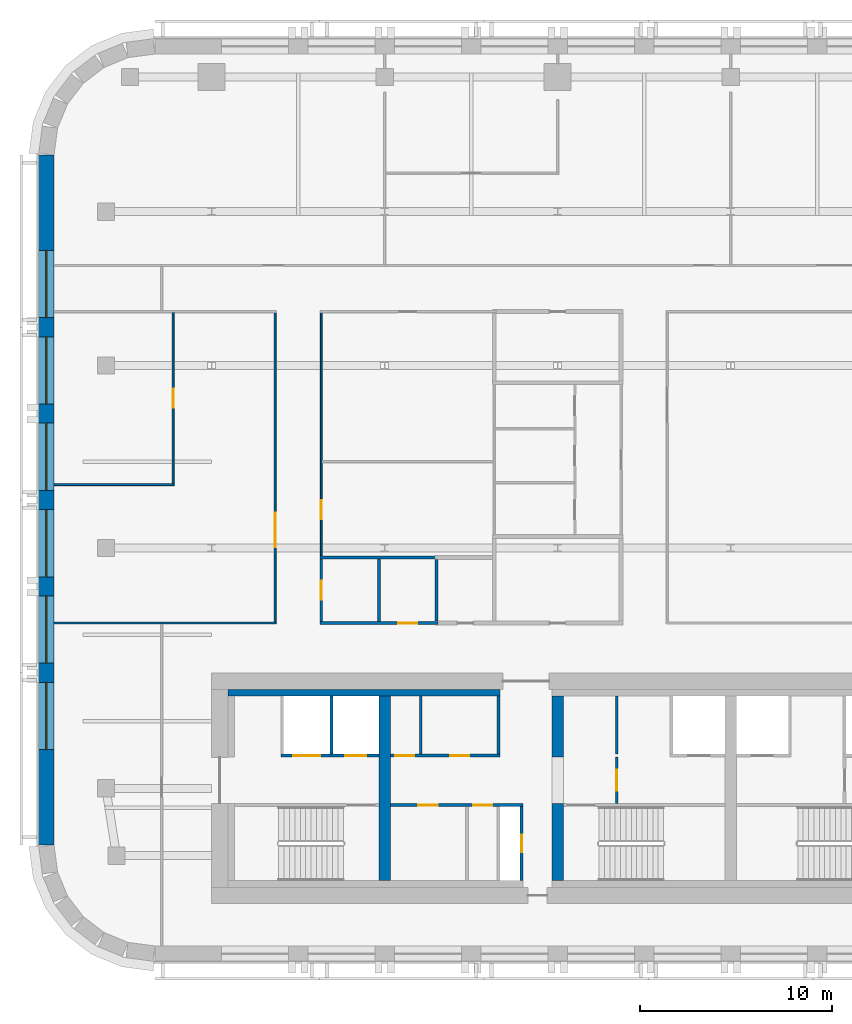
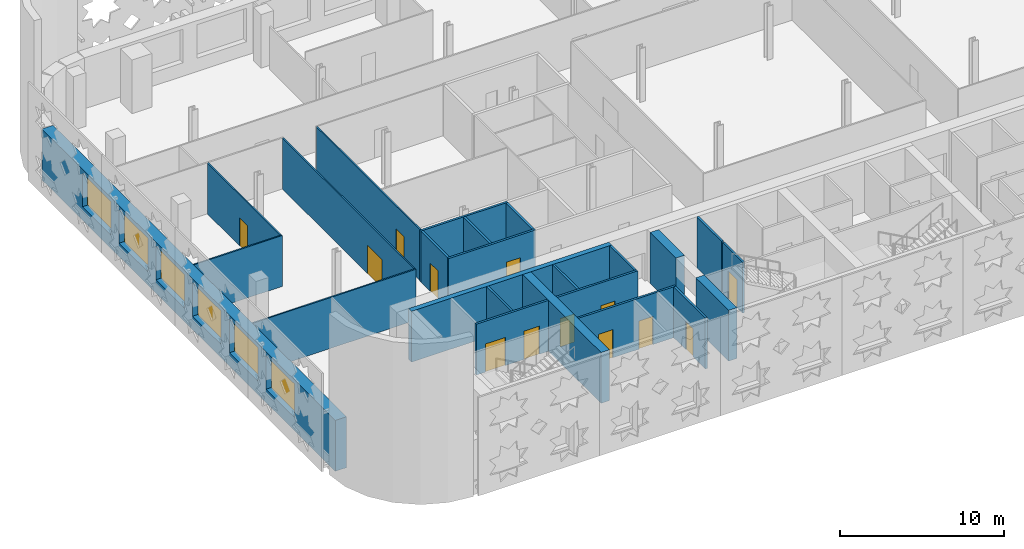
# One storey, part 3 of 14: 24 walls, 13 doors, 6 windows, 19 openings.
"""IFC4 building model written with IfcOpenShell, lengths in metres."""

from ifc_helpers import new_model, si_unit, direction, frame, frame_2d, origin, place, context, subcontext, project, spatial, rectangle, extrude, material, layer, layer_set, type_object, element, fill, save


model = new_model("IFC4")

# Units and contexts
model_context = context("Model", 3, precision=1e-05, world=origin(), true_north=direction((0.0, 1.0)))
body_context = subcontext(model_context, "Body", "Model", "MODEL_VIEW")
ifc_project = project(units=[si_unit("LENGTHUNIT", "METRE"), si_unit("AREAUNIT", "SQUARE_METRE"), si_unit("VOLUMEUNIT", "CUBIC_METRE"), si_unit("PLANEANGLEUNIT", "RADIAN"), si_unit("MASSUNIT", "GRAM", prefix="KILO")], contexts=[model_context])

# Site, building, storey
site_placement = place(None, origin())
site = spatial("IfcSite", under=ifc_project, at=site_placement, CompositionType="ELEMENT")
building_placement = place(site_placement, origin())
building = spatial("IfcBuilding", under=site, at=building_placement, Name="Zellij Exchange Tower", CompositionType="ELEMENT")
storey_placement = place(building_placement, frame((0.0, 0.0, 164.5)))
storey = spatial("IfcBuildingStorey", under=building, at=storey_placement, Name="L37", CompositionType="ELEMENT", Elevation=164.5)

# Walls
ifc_material_1 = material(Name="Concrete C60/75", Category="concrete")
ifc_layer_1 = layer(ifc_material_1, 0.60009765625)
ifc_layer_set_1 = layer_set([ifc_layer_1], Name="Concrete C60/75")
wall_type_1 = type_object("IfcWallType", Name="CORE-CW 600 C60/75", PredefinedType="SHEAR", material=ifc_layer_set_1)
wall_1_placement = place(storey_placement, frame((-18.0, -12.800048828125, 0.0), z_axis=(0.0, 0.0, 1.0), x_axis=(0.0, 1.0, 0.0)))
element("IfcWall", 1, at=wall_1_placement, inside=storey, type_object=wall_type_1, Name="Core cross wall x -18 L37", PredefinedType="SHEAR", context=body_context, shape_type="SweptSolid", body=[
    extrude(rectangle(XDim=9.60009765625, YDim=0.60009765625, at=frame_2d((4.800048828125, 0.0))), origin(), (0.0, 0.0, 1.0), 3.800048828125),
])
wall_2_placement = place(storey_placement, frame((-9.0, -12.800048828125, 0.0), z_axis=(0.0, 0.0, 1.0), x_axis=(0.0, 1.0, 0.0)))
element("IfcWall", 2, at=wall_2_placement, inside=storey, type_object=wall_type_1, Name="Core cross wall pier x -9 a L37", PredefinedType="SHEAR", context=body_context, shape_type="SweptSolid", body=[
    extrude(rectangle(XDim=4.0, YDim=0.60009765625, at=frame_2d((2.0, 0.0))), origin(), (0.0, 0.0, 1.0), 3.800048828125),
])
wall_3_placement = place(storey_placement, frame((-9.0, -6.375, 0.0), z_axis=(0.0, 0.0, 1.0), x_axis=(0.0, 1.0, 0.0)))
element("IfcWall", 3, at=wall_3_placement, inside=storey, type_object=wall_type_1, Name="Core cross wall pier x -9 b L37", PredefinedType="SHEAR", context=body_context, shape_type="SweptSolid", body=[
    extrude(rectangle(XDim=3.175048828125, YDim=0.60009765625, at=frame_2d((1.58740234375, 0.0))), origin(), (0.0, 0.0, 1.0), 3.800048828125),
])
ifc_material_2 = material(Name="Concrete C30/37", Category="concrete")
ifc_layer_2 = layer(ifc_material_2, 0.35009765625)
ifc_layer_set_2 = layer_set([ifc_layer_2], Name="Concrete C30/37")
wall_type_2 = type_object("IfcWallType", Name="CORE-LW 350 C30/37", PredefinedType="SHEAR", material=ifc_layer_set_2)
wall_4_placement = place(storey_placement, frame((-26.14990234375, -3.02490234375, 0.0), z_axis=(0.0, 0.0, 1.0), x_axis=(1.0, 0.0, 0.0)))
element("IfcWall", 4, at=wall_4_placement, inside=storey, type_object=wall_type_2, Name="Core wall lining front.0 L37", PredefinedType="SHEAR", context=body_context, shape_type="SweptSolid", body=[
    extrude(rectangle(XDim=14.14990234375, YDim=0.35009765625, at=frame_2d((7.074951171875, 0.0))), origin(), (0.0, 0.0, 1.0), 3.800048828125),
])

# Wall, opening, door
ifc_material_3 = material(Name="Gypsum shaft wall system")
ifc_layer_3 = layer(ifc_material_3, 0.14990234375)
ifc_layer_set_3 = layer_set([ifc_layer_3], Name="Gypsum shaft wall system")
wall_type_3 = type_object("IfcWallType", Name="CORE-PW 150 Firefighting lobby wall", PredefinedType="PARTITIONING", material=ifc_layer_set_3)
wall_5_placement = place(storey_placement, frame((-5.925048828125, -8.800048828125, 0.0), z_axis=(0.0, 0.0, 1.0), x_axis=(0.0, 1.0, 0.0)))
wall_5 = element("IfcWall", 5, at=wall_5_placement, inside=storey, type_object=wall_type_3, Name="Firefighting lobby wall L37", PredefinedType="PARTITIONING", context=body_context, shape_type="SweptSolid", body=[
    extrude(rectangle(XDim=2.425048828125, YDim=0.14990234375, at=frame_2d((1.21240234375, 0.0))), origin(), (0.0, 0.0, 1.0), 3.800048828125),
])
opening_1_placement = place(wall_5_placement, frame((0.662109375, 0.0, 0.0)))
opening_1 = element("IfcOpeningElement", 6, at=opening_1_placement, cuts=wall_5, Name="Opening CA-21.13", PredefinedType="OPENING", context=body_context, shape_type="SweptSolid", body=[
    extrude(rectangle(XDim=1.10009765625, YDim=2.10009765625, at=frame_2d((0.550048828125, 1.050048828125))), frame((0.0, 0.0869140625, 0.0), z_axis=(0.0, -1.0, 0.0), x_axis=(1.0, 0.0, 0.0)), (0.0, 0.0, 1.0), 0.173828125),
])
ifc_material_4 = material(Name="Hollow metal fire door")
door_type_1 = type_object("IfcDoorType", Name="CORE-D F Firefighting lobby door 1100x2100 1 HR", OperationType="NOTDEFINED", PredefinedType="DOOR", material=ifc_material_4)
door_1_placement = place(opening_1_placement, origin())
door_1 = element("IfcDoor", 7, at=door_1_placement, inside=storey, type_object=door_type_1, Name="Firefighting lobby door CA-21.13", OperationType="SINGLE_SWING_LEFT", OverallHeight=2.10009765625, OverallWidth=1.10009765625, PredefinedType="DOOR", context=body_context, shape_type="SweptSolid", body=[
    extrude(rectangle(XDim=1.10009765625, YDim=2.10009765625, at=frame_2d((0.550048828125, 1.050048828125))), frame((0.0, 0.02490234375, 0.0), z_axis=(0.0, -1.0, 0.0), x_axis=(1.0, 0.0, 0.0)), (0.0, 0.0, 1.0), 0.050048828125),
])
fill(opening_1, door_1)

# Walls
ifc_material_5 = material(Name="Gypsum board partition")
ifc_layer_4 = layer(ifc_material_5, 0.14990234375)
ifc_layer_set_4 = layer_set([ifc_layer_4], Name="Gypsum board partition")
wall_type_4 = type_object("IfcWallType", Name="CORE-PW 150 Lift lobby wall", PredefinedType="PARTITIONING", material=ifc_layer_set_4)
for number, where, z_axis, x_axis, name in (
    (8, (-12.074951171875, -6.22509765625, 0.0), (0.0, 0.0, 1.0), (0.0, 1.0, 0.0), "Lift lobby wall L37"),
    (9, (-16.125, -6.22509765625, 0.0), (0.0, 0.0, 1.0), (0.0, 1.0, 0.0), "Lift lobby wall L37"),
    (10, (-5.925048828125, -6.22509765625, 0.0), (0.0, 0.0, 1.0), (0.0, 1.0, 0.0), "Lift lobby wall L37"),
):
    element("IfcWall", number, at=place(storey_placement, frame(where, z_axis=z_axis, x_axis=x_axis)), inside=storey, type_object=wall_type_4, Name=name, PredefinedType="PARTITIONING", context=body_context, shape_type="SweptSolid", body=[
        extrude(rectangle(XDim=3.025146484375, YDim=0.14990234375, at=frame_2d((1.5126953125, 0.0))), origin(), (0.0, 0.0, 1.0), 3.800048828125),
    ])

# Wall, opening, door
wall_6_placement = place(storey_placement, frame((-10.875, -12.800048828125, 0.0), z_axis=(0.0, 0.0, 1.0), x_axis=(0.0, 1.0, 0.0)))
wall_6 = element("IfcWall", 11, at=wall_6_placement, inside=storey, type_object=wall_type_4, Name="Lift lobby wall L37", PredefinedType="PARTITIONING", context=body_context, shape_type="SweptSolid", body=[
    extrude(rectangle(XDim=3.85009765625, YDim=0.14990234375, at=frame_2d((1.925048828125, 0.0))), origin(), (0.0, 0.0, 1.0), 3.800048828125),
])
opening_2_placement = place(wall_6_placement, frame((1.47509765625, 0.0, 0.0)))
opening_2 = element("IfcOpeningElement", 12, at=opening_2_placement, cuts=wall_6, Name="Opening CA-21.09", PredefinedType="OPENING", context=body_context, shape_type="SweptSolid", body=[
    extrude(rectangle(XDim=0.89990234375, YDim=2.10009765625, at=frame_2d((0.449951171875, 1.050048828125))), frame((0.0, 0.0869140625, 0.0), z_axis=(0.0, -1.0, 0.0), x_axis=(1.0, 0.0, 0.0)), (0.0, 0.0, 1.0), 0.173828125),
])
door_type_2 = type_object("IfcDoorType", Name="CORE-D RD Riser door 900x2100 1.5 HR", OperationType="NOTDEFINED", PredefinedType="DOOR", material=ifc_material_4)
door_2_placement = place(opening_2_placement, origin())
door_2 = element("IfcDoor", 13, at=door_2_placement, inside=storey, type_object=door_type_2, Name="Riser door CA-21.09", OperationType="SINGLE_SWING_RIGHT", OverallHeight=2.10009765625, OverallWidth=0.89990234375, PredefinedType="DOOR", context=body_context, shape_type="SweptSolid", body=[
    extrude(rectangle(XDim=0.89990234375, YDim=2.10009765625, at=frame_2d((0.449951171875, 1.050048828125))), frame((0.0, 0.02490234375, 0.0), z_axis=(0.0, -1.0, 0.0), x_axis=(1.0, 0.0, 0.0)), (0.0, 0.0, 1.0), 0.050048828125),
])
fill(opening_2, door_2)

# Wall, openings, doors
wall_7_placement = place(storey_placement, frame((-17.699951171875, -6.300048828125, 0.0), z_axis=(0.0, 0.0, 1.0), x_axis=(1.0, 0.0, 0.0)))
wall_7 = element("IfcWall", 14, at=wall_7_placement, inside=storey, type_object=wall_type_4, Name="Lift lobby wall L37", PredefinedType="PARTITIONING", context=body_context, shape_type="SweptSolid", body=[
    extrude(rectangle(XDim=5.699951171875, YDim=0.14990234375, at=frame_2d((2.85009765625, 0.0))), origin(), (0.0, 0.0, 1.0), 3.800048828125),
])
opening_3_placement = place(wall_7_placement, frame((0.25, 0.0, 0.0)))
opening_3 = element("IfcOpeningElement", 15, at=opening_3_placement, cuts=wall_7, Name="Opening CA-21.05", PredefinedType="OPENING", context=body_context, shape_type="SweptSolid", body=[
    extrude(rectangle(XDim=1.0, YDim=2.10009765625, at=frame_2d((0.5, 1.050048828125))), frame((0.0, 0.0869140625, 0.0), z_axis=(0.0, -1.0, 0.0), x_axis=(1.0, 0.0, 0.0)), (0.0, 0.0, 1.0), 0.173828125),
])
opening_4_placement = place(wall_7_placement, frame((3.10009765625, 0.0, 0.0)))
opening_4 = element("IfcOpeningElement", 16, at=opening_4_placement, cuts=wall_7, Name="Opening CA-21.07", PredefinedType="OPENING", context=body_context, shape_type="SweptSolid", body=[
    extrude(rectangle(XDim=1.0, YDim=2.10009765625, at=frame_2d((0.5, 1.050048828125))), frame((0.0, 0.0869140625, 0.0), z_axis=(0.0, -1.0, 0.0), x_axis=(1.0, 0.0, 0.0)), (0.0, 0.0, 1.0), 0.173828125),
])
door_type_3 = type_object("IfcDoorType", Name="CORE-D CD Core room door 1000x2100 1 HR", OperationType="NOTDEFINED", PredefinedType="DOOR", material=ifc_material_4)
door_3_placement = place(opening_3_placement, origin())
door_3 = element("IfcDoor", 17, at=door_3_placement, inside=storey, type_object=door_type_3, Name="Core room door CA-21.05", OperationType="SINGLE_SWING_LEFT", OverallHeight=2.10009765625, OverallWidth=1.0, PredefinedType="DOOR", context=body_context, shape_type="SweptSolid", body=[
    extrude(rectangle(XDim=1.0, YDim=2.10009765625, at=frame_2d((0.5, 1.050048828125))), frame((0.0, 0.02490234375, 0.0), z_axis=(0.0, -1.0, 0.0), x_axis=(1.0, 0.0, 0.0)), (0.0, 0.0, 1.0), 0.050048828125),
])
fill(opening_3, door_3)
door_4_placement = place(opening_4_placement, origin())
door_4 = element("IfcDoor", 18, at=door_4_placement, inside=storey, type_object=door_type_3, Name="Core room door CA-21.07", OperationType="SINGLE_SWING_RIGHT", OverallHeight=2.10009765625, OverallWidth=1.0, PredefinedType="DOOR", context=body_context, shape_type="SweptSolid", body=[
    extrude(rectangle(XDim=1.0, YDim=2.10009765625, at=frame_2d((0.5, 1.050048828125))), frame((0.0, 0.02490234375, 0.0), z_axis=(0.0, -1.0, 0.0), x_axis=(1.0, 0.0, 0.0)), (0.0, 0.0, 1.0), 0.050048828125),
])
fill(opening_4, door_4)

wall_8_placement = place(storey_placement, frame((-17.699951171875, -8.875, 0.0), z_axis=(0.0, 0.0, 1.0), x_axis=(1.0, 0.0, 0.0)))
wall_8 = element("IfcWall", 19, at=wall_8_placement, inside=storey, type_object=wall_type_4, Name="Lift lobby wall L37", PredefinedType="PARTITIONING", context=body_context, shape_type="SweptSolid", body=[
    extrude(rectangle(XDim=6.89990234375, YDim=0.14990234375, at=frame_2d((3.449951171875, 0.0))), origin(), (0.0, 0.0, 1.0), 3.800048828125),
])
opening_5_placement = place(wall_8_placement, frame((1.449951171875, 0.0, 0.0)))
opening_5 = element("IfcOpeningElement", 20, at=opening_5_placement, cuts=wall_8, Name="Opening CA-21.06", PredefinedType="OPENING", context=body_context, shape_type="SweptSolid", body=[
    extrude(rectangle(XDim=1.0, YDim=2.10009765625, at=frame_2d((0.5, 1.050048828125))), frame((0.0, 0.0869140625, 0.0), z_axis=(0.0, -1.0, 0.0), x_axis=(1.0, 0.0, 0.0)), (0.0, 0.0, 1.0), 0.173828125),
])
opening_6_placement = place(wall_8_placement, frame((4.300048828125, 0.0, 0.0)))
opening_6 = element("IfcOpeningElement", 21, at=opening_6_placement, cuts=wall_8, Name="Opening CA-21.08", PredefinedType="OPENING", context=body_context, shape_type="SweptSolid", body=[
    extrude(rectangle(XDim=1.0, YDim=2.10009765625, at=frame_2d((0.5, 1.050048828125))), frame((0.0, 0.0869140625, 0.0), z_axis=(0.0, -1.0, 0.0), x_axis=(1.0, 0.0, 0.0)), (0.0, 0.0, 1.0), 0.173828125),
])
door_5_placement = place(opening_5_placement, origin())
door_5 = element("IfcDoor", 22, at=door_5_placement, inside=storey, type_object=door_type_3, Name="Core room door CA-21.06", OperationType="SINGLE_SWING_RIGHT", OverallHeight=2.10009765625, OverallWidth=1.0, PredefinedType="DOOR", context=body_context, shape_type="SweptSolid", body=[
    extrude(rectangle(XDim=1.0, YDim=2.10009765625, at=frame_2d((0.5, 1.050048828125))), frame((0.0, 0.02490234375, 0.0), z_axis=(0.0, -1.0, 0.0), x_axis=(1.0, 0.0, 0.0)), (0.0, 0.0, 1.0), 0.050048828125),
])
fill(opening_5, door_5)
door_6_placement = place(opening_6_placement, origin())
door_6 = element("IfcDoor", 23, at=door_6_placement, inside=storey, type_object=door_type_3, Name="Core room door CA-21.08", OperationType="SINGLE_SWING_LEFT", OverallHeight=2.10009765625, OverallWidth=1.0, PredefinedType="DOOR", context=body_context, shape_type="SweptSolid", body=[
    extrude(rectangle(XDim=1.0, YDim=2.10009765625, at=frame_2d((0.5, 1.050048828125))), frame((0.0, 0.02490234375, 0.0), z_axis=(0.0, -1.0, 0.0), x_axis=(1.0, 0.0, 0.0)), (0.0, 0.0, 1.0), 0.050048828125),
])
fill(opening_6, door_6)

# Wall
ifc_layer_5 = layer(ifc_material_3, 0.14990234375)
ifc_layer_set_5 = layer_set([ifc_layer_5], Name="Gypsum shaft wall system")
wall_type_5 = type_object("IfcWallType", Name="CORE-PW 150 Lift shaft wall", PredefinedType="PARTITIONING", material=ifc_layer_set_5)
wall_9_placement = place(storey_placement, frame((-20.77490234375, -6.22509765625, 0.0), z_axis=(0.0, 0.0, 1.0), x_axis=(0.0, 1.0, 0.0)))
element("IfcWall", 24, at=wall_9_placement, inside=storey, type_object=wall_type_5, Name="Lift shaft wall L37", PredefinedType="PARTITIONING", context=body_context, shape_type="SweptSolid", body=[
    extrude(rectangle(XDim=3.025146484375, YDim=0.14990234375, at=frame_2d((1.5126953125, 0.0))), origin(), (0.0, 0.0, 1.0), 3.800048828125),
])

# Wall, openings, doors
wall_10_placement = place(storey_placement, frame((-23.39990234375, -6.300048828125, 0.0), z_axis=(0.0, 0.0, 1.0), x_axis=(1.0, 0.0, 0.0)))
wall_10 = element("IfcWall", 25, at=wall_10_placement, inside=storey, type_object=wall_type_5, Name="Lift shaft wall L37", PredefinedType="PARTITIONING", context=body_context, shape_type="SweptSolid", body=[
    extrude(rectangle(XDim=5.099853515625, YDim=0.14990234375, at=frame_2d((2.5498046875, 0.0))), origin(), (0.0, 0.0, 1.0), 3.800048828125),
])
opening_7_placement = place(wall_10_placement, frame((0.64990234375, 0.0, 0.0)))
opening_7 = element("IfcOpeningElement", 26, at=opening_7_placement, cuts=wall_10, Name="Opening CA-21.02", PredefinedType="OPENING", context=body_context, shape_type="SweptSolid", body=[
    extrude(rectangle(XDim=1.39990234375, YDim=2.10009765625, at=frame_2d((0.699951171875, 1.050048828125))), frame((0.0, 0.0869140625, 0.0), z_axis=(0.0, -1.0, 0.0), x_axis=(1.0, 0.0, 0.0)), (0.0, 0.0, 1.0), 0.173828125),
])
opening_8_placement = place(wall_10_placement, frame((3.35009765625, 0.0, 0.0)))
opening_8 = element("IfcOpeningElement", 27, at=opening_8_placement, cuts=wall_10, Name="Opening CA-21.03", PredefinedType="OPENING", context=body_context, shape_type="SweptSolid", body=[
    extrude(rectangle(XDim=1.10009765625, YDim=2.10009765625, at=frame_2d((0.550048828125, 1.050048828125))), frame((0.0, 0.0869140625, 0.0), z_axis=(0.0, -1.0, 0.0), x_axis=(1.0, 0.0, 0.0)), (0.0, 0.0, 1.0), 0.173828125),
])
door_type_4 = type_object("IfcDoorType", Name="CORE-D LD Lift landing door 1100x2100 1.5 HR", OperationType="NOTDEFINED", PredefinedType="DOOR", material=ifc_material_4)
door_7_placement = place(opening_8_placement, origin())
door_7 = element("IfcDoor", 28, at=door_7_placement, inside=storey, type_object=door_type_4, Name="Lift landing door CA-21.03", OperationType="SLIDING_TO_LEFT", OverallHeight=2.10009765625, OverallWidth=1.10009765625, PredefinedType="DOOR", context=body_context, shape_type="SweptSolid", body=[
    extrude(rectangle(XDim=1.10009765625, YDim=2.10009765625, at=frame_2d((0.550048828125, 1.050048828125))), frame((0.0, 0.02490234375, 0.0), z_axis=(0.0, -1.0, 0.0), x_axis=(1.0, 0.0, 0.0)), (0.0, 0.0, 1.0), 0.050048828125),
])
fill(opening_8, door_7)
door_type_5 = type_object("IfcDoorType", Name="CORE-D LD2 Service lift landing door 1400x2100 1.5 HR", OperationType="NOTDEFINED", PredefinedType="DOOR", material=ifc_material_4)
door_8_placement = place(opening_7_placement, origin())
door_8 = element("IfcDoor", 29, at=door_8_placement, inside=storey, type_object=door_type_5, Name="Service lift landing door CA-21.02", OperationType="SLIDING_TO_RIGHT", OverallHeight=2.10009765625, OverallWidth=1.39990234375, PredefinedType="DOOR", context=body_context, shape_type="SweptSolid", body=[
    extrude(rectangle(XDim=1.39990234375, YDim=2.10009765625, at=frame_2d((0.699951171875, 1.050048828125))), frame((0.0, 0.02490234375, 0.0), z_axis=(0.0, -1.0, 0.0), x_axis=(1.0, 0.0, 0.0)), (0.0, 0.0, 1.0), 0.050048828125),
])
fill(opening_7, door_8)

# Wall, openings, windows
ifc_material_6 = material(Name="Precast concrete C40/50", Category="concrete")
ifc_layer_6 = layer(ifc_material_6, 0.800048828125)
ifc_layer_set_6 = layer_set([ifc_layer_6], Name="Precast concrete C40/50")
wall_type_6 = type_object("IfcWallType", Name="ENV-EW1 Precast stone-piered wall 800", PredefinedType="SOLIDWALL", material=ifc_layer_set_6)
wall_11_placement = place(storey_placement, frame((-35.60009765625, 24.947509765625, 0.0), z_axis=(0.0, 0.0, 1.0), x_axis=(0.0, -1.0, 0.0)))
wall_11 = element("IfcWall", 30, at=wall_11_placement, inside=storey, type_object=wall_type_6, Name="fac.L37.21", PredefinedType="SOLIDWALL", context=body_context, shape_type="SweptSolid", body=[
    extrude(rectangle(XDim=35.89501953125, YDim=0.800048828125, at=frame_2d((17.947509765625, 0.0))), origin(), (0.0, 0.0, 1.0), 3.800048828125),
])
opening_9_placement = place(wall_11_placement, frame((4.9638671875, 0.0, 1.0)))
opening_9 = element("IfcOpeningElement", 31, at=opening_9_placement, cuts=wall_11, Name="Opening FZ3.31", PredefinedType="OPENING", context=body_context, shape_type="SweptSolid", body=[
    extrude(rectangle(XDim=3.5, YDim=2.5, at=frame_2d((1.75, 1.25))), frame((0.0, 0.412109375, 0.0), z_axis=(0.0, -1.0, 0.0), x_axis=(1.0, 0.0, 0.0)), (0.0, 0.0, 1.0), 0.823974609375),
])
opening_10_placement = place(wall_11_placement, frame((9.45751953125, 0.0, 1.0)))
opening_10 = element("IfcOpeningElement", 32, at=opening_10_placement, cuts=wall_11, Name="Opening FZ3.32", PredefinedType="OPENING", context=body_context, shape_type="SweptSolid", body=[
    extrude(rectangle(XDim=3.5, YDim=2.5, at=frame_2d((1.75, 1.25))), frame((0.0, 0.412109375, 0.0), z_axis=(0.0, -1.0, 0.0), x_axis=(1.0, 0.0, 0.0)), (0.0, 0.0, 1.0), 0.823974609375),
])
opening_11_placement = place(wall_11_placement, frame((13.950927734375, 0.0, 1.0)))
opening_11 = element("IfcOpeningElement", 33, at=opening_11_placement, cuts=wall_11, Name="Opening FZ3.33", PredefinedType="OPENING", context=body_context, shape_type="SweptSolid", body=[
    extrude(rectangle(XDim=3.5, YDim=2.5, at=frame_2d((1.75, 1.25))), frame((0.0, 0.412109375, 0.0), z_axis=(0.0, -1.0, 0.0), x_axis=(1.0, 0.0, 0.0)), (0.0, 0.0, 1.0), 0.823974609375),
])
opening_12_placement = place(wall_11_placement, frame((18.4443359375, 0.0, 1.0)))
opening_12 = element("IfcOpeningElement", 34, at=opening_12_placement, cuts=wall_11, Name="Opening FZ3.34", PredefinedType="OPENING", context=body_context, shape_type="SweptSolid", body=[
    extrude(rectangle(XDim=3.5, YDim=2.5, at=frame_2d((1.75, 1.25))), frame((0.0, 0.412109375, 0.0), z_axis=(0.0, -1.0, 0.0), x_axis=(1.0, 0.0, 0.0)), (0.0, 0.0, 1.0), 0.823974609375),
])
opening_13_placement = place(wall_11_placement, frame((22.937744140625, 0.0, 1.0)))
opening_13 = element("IfcOpeningElement", 35, at=opening_13_placement, cuts=wall_11, Name="Opening FZ3.35", PredefinedType="OPENING", context=body_context, shape_type="SweptSolid", body=[
    extrude(rectangle(XDim=3.5, YDim=2.5, at=frame_2d((1.75, 1.25))), frame((0.0, 0.412109375, 0.0), z_axis=(0.0, -1.0, 0.0), x_axis=(1.0, 0.0, 0.0)), (0.0, 0.0, 1.0), 0.823974609375),
])
opening_14_placement = place(wall_11_placement, frame((27.43115234375, 0.0, 1.0)))
opening_14 = element("IfcOpeningElement", 36, at=opening_14_placement, cuts=wall_11, Name="Opening FZ3.36", PredefinedType="OPENING", context=body_context, shape_type="SweptSolid", body=[
    extrude(rectangle(XDim=3.5, YDim=2.5, at=frame_2d((1.75, 1.25))), frame((0.0, 0.412109375, 0.0), z_axis=(0.0, -1.0, 0.0), x_axis=(1.0, 0.0, 0.0)), (0.0, 0.0, 1.0), 0.823974609375),
])
ifc_material_7 = material(Name="Aluminium frame with insulating glass", Category="aluminium")
window_type = type_object("IfcWindowType", Name="ENV-W1 Window 3500x2500", PartitioningType="SINGLE_PANEL", PredefinedType="WINDOW", material=ifc_material_7)
window_1_placement = place(opening_9_placement, origin())
window_1 = element("IfcWindow", 37, at=window_1_placement, inside=storey, type_object=window_type, Name="Window FZ3.31", OverallHeight=2.5, OverallWidth=3.5, PartitioningType="SINGLE_PANEL", PredefinedType="WINDOW", context=body_context, shape_type="SweptSolid", body=[
    extrude(rectangle(XDim=3.5, YDim=2.5, at=frame_2d((1.75, 1.25))), frame((0.0, 0.030029296875, 0.0), z_axis=(0.0, -1.0, 0.0), x_axis=(1.0, 0.0, 0.0)), (0.0, 0.0, 1.0), 0.06005859375),
])
fill(opening_9, window_1)
window_2_placement = place(opening_10_placement, origin())
window_2 = element("IfcWindow", 38, at=window_2_placement, inside=storey, type_object=window_type, Name="Window FZ3.32", OverallHeight=2.5, OverallWidth=3.5, PartitioningType="SINGLE_PANEL", PredefinedType="WINDOW", context=body_context, shape_type="SweptSolid", body=[
    extrude(rectangle(XDim=3.5, YDim=2.5, at=frame_2d((1.75, 1.25))), frame((0.0, 0.030029296875, 0.0), z_axis=(0.0, -1.0, 0.0), x_axis=(1.0, 0.0, 0.0)), (0.0, 0.0, 1.0), 0.06005859375),
])
fill(opening_10, window_2)
window_3_placement = place(opening_11_placement, origin())
window_3 = element("IfcWindow", 39, at=window_3_placement, inside=storey, type_object=window_type, Name="Window FZ3.33", OverallHeight=2.5, OverallWidth=3.5, PartitioningType="SINGLE_PANEL", PredefinedType="WINDOW", context=body_context, shape_type="SweptSolid", body=[
    extrude(rectangle(XDim=3.5, YDim=2.5, at=frame_2d((1.75, 1.25))), frame((0.0, 0.030029296875, 0.0), z_axis=(0.0, -1.0, 0.0), x_axis=(1.0, 0.0, 0.0)), (0.0, 0.0, 1.0), 0.06005859375),
])
fill(opening_11, window_3)
window_4_placement = place(opening_12_placement, origin())
window_4 = element("IfcWindow", 40, at=window_4_placement, inside=storey, type_object=window_type, Name="Window FZ3.34", OverallHeight=2.5, OverallWidth=3.5, PartitioningType="SINGLE_PANEL", PredefinedType="WINDOW", context=body_context, shape_type="SweptSolid", body=[
    extrude(rectangle(XDim=3.5, YDim=2.5, at=frame_2d((1.75, 1.25))), frame((0.0, 0.030029296875, 0.0), z_axis=(0.0, -1.0, 0.0), x_axis=(1.0, 0.0, 0.0)), (0.0, 0.0, 1.0), 0.06005859375),
])
fill(opening_12, window_4)
window_5_placement = place(opening_13_placement, origin())
window_5 = element("IfcWindow", 41, at=window_5_placement, inside=storey, type_object=window_type, Name="Window FZ3.35", OverallHeight=2.5, OverallWidth=3.5, PartitioningType="SINGLE_PANEL", PredefinedType="WINDOW", context=body_context, shape_type="SweptSolid", body=[
    extrude(rectangle(XDim=3.5, YDim=2.5, at=frame_2d((1.75, 1.25))), frame((0.0, 0.030029296875, 0.0), z_axis=(0.0, -1.0, 0.0), x_axis=(1.0, 0.0, 0.0)), (0.0, 0.0, 1.0), 0.06005859375),
])
fill(opening_13, window_5)
window_6_placement = place(opening_14_placement, origin())
window_6 = element("IfcWindow", 42, at=window_6_placement, inside=storey, type_object=window_type, Name="Window FZ3.36", OverallHeight=2.5, OverallWidth=3.5, PartitioningType="SINGLE_PANEL", PredefinedType="WINDOW", context=body_context, shape_type="SweptSolid", body=[
    extrude(rectangle(XDim=3.5, YDim=2.5, at=frame_2d((1.75, 1.25))), frame((0.0, 0.030029296875, 0.0), z_axis=(0.0, -1.0, 0.0), x_axis=(1.0, 0.0, 0.0)), (0.0, 0.0, 1.0), 0.06005859375),
])
fill(opening_14, window_6)

# Wall
ifc_material_8 = material(Name="Gypsum board partition on steel studs", Category="steel")
ifc_layer_7 = layer(ifc_material_8, 0.10009765625)
ifc_layer_set_7 = layer_set([ifc_layer_7], Name="Gypsum board partition on steel studs")
wall_type_7 = type_object("IfcWallType", Name="FIT-PARTITION-100", PredefinedType="PARTITIONING", material=ifc_layer_set_7)
wall_12_placement = place(storey_placement, frame((-35.199951171875, 0.60009765625, 0.0), z_axis=(0.0, 0.0, 1.0), x_axis=(1.0, 0.0, 0.0)))
element("IfcWall", 43, at=wall_12_placement, inside=storey, type_object=wall_type_7, Name="FIT-PARTITION-100 003", PredefinedType="PARTITIONING", context=body_context, shape_type="SweptSolid", body=[
    extrude(rectangle(XDim=11.550048828125, YDim=0.10009765625, at=frame_2d((5.77490234375, 0.0))), origin(), (0.0, 0.0, 1.0), 3.800048828125),
])

# Wall, opening, door
wall_13_placement = place(storey_placement, frame((-23.699951171875, 0.64990234375, 0.0), z_axis=(0.0, 0.0, 1.0), x_axis=(0.0, 1.0, 0.0)))
wall_13 = element("IfcWall", 44, at=wall_13_placement, inside=storey, type_object=wall_type_7, Name="FIT-PARTITION-100 004", PredefinedType="PARTITIONING", context=body_context, shape_type="SweptSolid", body=[
    extrude(rectangle(XDim=16.10009765625, YDim=0.10009765625, at=frame_2d((8.050048828125, 0.0))), origin(), (0.0, 0.0, 1.0), 3.800048828125),
])
opening_15_placement = place(wall_13_placement, frame((3.89990234375, 0.0, 0.0)))
opening_15 = element("IfcOpeningElement", 45, at=opening_15_placement, cuts=wall_13, Name="Opening O3A.07", PredefinedType="OPENING", context=body_context, shape_type="SweptSolid", body=[
    extrude(rectangle(XDim=1.800048828125, YDim=2.10009765625, at=frame_2d((0.89990234375, 1.050048828125))), frame((0.0, 0.06201171875, 0.0), z_axis=(0.0, -1.0, 0.0), x_axis=(1.0, 0.0, 0.0)), (0.0, 0.0, 1.0), 0.1240234375),
])
ifc_material_9 = material(Name="Timber door set", Category="wood")
door_type_6 = type_object("IfcDoorType", Name="FIT-D3-DOUBLE-1800X2100", OperationType="DOUBLE_DOOR_SINGLE_SWING", PredefinedType="DOOR", material=ifc_material_9)
door_9_placement = place(opening_15_placement, origin())
door_9 = element("IfcDoor", 46, at=door_9_placement, inside=storey, type_object=door_type_6, Name="Door O3A.07", OperationType="DOUBLE_DOOR_SINGLE_SWING", OverallHeight=2.10009765625, OverallWidth=1.800048828125, PredefinedType="DOOR", context=body_context, shape_type="SweptSolid", body=[
    extrude(rectangle(XDim=1.800048828125, YDim=2.10009765625, at=frame_2d((0.89990234375, 1.050048828125))), frame((0.0, 0.02490234375, 0.0), z_axis=(0.0, -1.0, 0.0), x_axis=(1.0, 0.0, 0.0)), (0.0, 0.0, 1.0), 0.050048828125),
])
fill(opening_15, door_9)

wall_14_placement = place(storey_placement, frame((-21.300048828125, 4.074951171875, 0.0), z_axis=(0.0, 0.0, 1.0), x_axis=(0.0, 1.0, 0.0)))
wall_14 = element("IfcWall", 47, at=wall_14_placement, inside=storey, type_object=wall_type_7, Name="FIT-PARTITION-100 018", PredefinedType="PARTITIONING", context=body_context, shape_type="SweptSolid", body=[
    extrude(rectangle(XDim=12.675048828125, YDim=0.10009765625, at=frame_2d((6.33740234375, 0.0))), origin(), (0.0, 0.0, 1.0), 3.800048828125),
])
opening_16_placement = place(wall_14_placement, frame((1.925048828125, 0.0, 0.0)))
opening_16 = element("IfcOpeningElement", 48, at=opening_16_placement, cuts=wall_14, Name="Opening O3A.09", PredefinedType="OPENING", context=body_context, shape_type="SweptSolid", body=[
    extrude(rectangle(XDim=1.0, YDim=2.10009765625, at=frame_2d((0.5, 1.050048828125))), frame((0.0, 0.06201171875, 0.0), z_axis=(0.0, -1.0, 0.0), x_axis=(1.0, 0.0, 0.0)), (0.0, 0.0, 1.0), 0.1240234375),
])
door_type_7 = type_object("IfcDoorType", Name="FIT-D2-WIDE-1000X2100", OperationType="SINGLE_SWING_LEFT", PredefinedType="DOOR", material=ifc_material_9)
door_10_placement = place(opening_16_placement, origin())
door_10 = element("IfcDoor", 49, at=door_10_placement, inside=storey, type_object=door_type_7, Name="Door O3A.09", OperationType="SINGLE_SWING_LEFT", OverallHeight=2.10009765625, OverallWidth=1.0, PredefinedType="DOOR", context=body_context, shape_type="SweptSolid", body=[
    extrude(rectangle(XDim=1.0, YDim=2.10009765625, at=frame_2d((0.5, 1.050048828125))), frame((0.0, 0.02490234375, 0.0), z_axis=(0.0, -1.0, 0.0), x_axis=(1.0, 0.0, 0.0)), (0.0, 0.0, 1.0), 0.050048828125),
])
fill(opening_16, door_10)

# Wall
wall_15_placement = place(storey_placement, frame((-35.199951171875, 7.800048828125, 0.0), z_axis=(0.0, 0.0, 1.0), x_axis=(1.0, 0.0, 0.0)))
element("IfcWall", 50, at=wall_15_placement, inside=storey, type_object=wall_type_7, Name="FIT-PARTITION-100 024", PredefinedType="PARTITIONING", context=body_context, shape_type="SweptSolid", body=[
    extrude(rectangle(XDim=6.25, YDim=0.10009765625, at=frame_2d((3.125, 0.0))), origin(), (0.0, 0.0, 1.0), 3.800048828125),
])

# Wall, opening, door
wall_16_placement = place(storey_placement, frame((-29.0, 7.85009765625, 0.0), z_axis=(0.0, 0.0, 1.0), x_axis=(0.0, 1.0, 0.0)))
wall_16 = element("IfcWall", 51, at=wall_16_placement, inside=storey, type_object=wall_type_7, Name="FIT-PARTITION-100 025", PredefinedType="PARTITIONING", context=body_context, shape_type="SweptSolid", body=[
    extrude(rectangle(XDim=8.89990234375, YDim=0.10009765625, at=frame_2d((4.449951171875, 0.0))), origin(), (0.0, 0.0, 1.0), 3.800048828125),
])
opening_17_placement = place(wall_16_placement, frame((3.949951171875, 0.0, 0.0)))
opening_17 = element("IfcOpeningElement", 52, at=opening_17_placement, cuts=wall_16, Name="Opening O3A.15", PredefinedType="OPENING", context=body_context, shape_type="SweptSolid", body=[
    extrude(rectangle(XDim=1.0, YDim=2.10009765625, at=frame_2d((0.5, 1.050048828125))), frame((0.0, 0.06201171875, 0.0), z_axis=(0.0, -1.0, 0.0), x_axis=(1.0, 0.0, 0.0)), (0.0, 0.0, 1.0), 0.1240234375),
])
door_11_placement = place(opening_17_placement, origin())
door_11 = element("IfcDoor", 53, at=door_11_placement, inside=storey, type_object=door_type_7, Name="Door O3A.15", OperationType="SINGLE_SWING_LEFT", OverallHeight=2.10009765625, OverallWidth=1.0, PredefinedType="DOOR", context=body_context, shape_type="SweptSolid", body=[
    extrude(rectangle(XDim=1.0, YDim=2.10009765625, at=frame_2d((0.5, 1.050048828125))), frame((0.0, 0.02490234375, 0.0), z_axis=(0.0, -1.0, 0.0), x_axis=(1.0, 0.0, 0.0)), (0.0, 0.0, 1.0), 0.050048828125),
])
fill(opening_17, door_11)

ifc_material_10 = material(Name="Gypsum board shaft-wall partition", Category="gypsum")
ifc_layer_8 = layer(ifc_material_10, 0.14990234375)
ifc_layer_set_8 = layer_set([ifc_layer_8], Name="Gypsum board shaft-wall partition")
wall_type_8 = type_object("IfcWallType", Name="FIT-PARTITION-150-EI60", PredefinedType="PARTITIONING", material=ifc_layer_set_8)
wall_17_placement = place(storey_placement, frame((-21.375, 0.60009765625, 0.0), z_axis=(0.0, 0.0, 1.0), x_axis=(1.0, 0.0, 0.0)))
wall_17 = element("IfcWall", 54, at=wall_17_placement, inside=storey, type_object=wall_type_8, Name="FIT-PARTITION-150-EI60 005", PredefinedType="PARTITIONING", context=body_context, shape_type="SweptSolid", body=[
    extrude(rectangle(XDim=6.14990234375, YDim=0.14990234375, at=frame_2d((3.074951171875, 0.0))), origin(), (0.0, 0.0, 1.0), 3.800048828125),
])
opening_18_placement = place(wall_17_placement, frame((4.074951171875, 0.0, 0.0)))
opening_18 = element("IfcOpeningElement", 55, at=opening_18_placement, cuts=wall_17, Name="Opening O3A.03", PredefinedType="OPENING", context=body_context, shape_type="SweptSolid", body=[
    extrude(rectangle(XDim=1.0, YDim=2.10009765625, at=frame_2d((0.5, 1.050048828125))), frame((0.0, 0.0869140625, 0.0), z_axis=(0.0, -1.0, 0.0), x_axis=(1.0, 0.0, 0.0)), (0.0, 0.0, 1.0), 0.173828125),
])
ifc_material_11 = material(Name="Steel fire door set", Category="steel")
door_type_8 = type_object("IfcDoorType", Name="FIT-D4-FIRE-1000X2100", OperationType="SINGLE_SWING_LEFT", PredefinedType="DOOR", material=ifc_material_11)
door_12_placement = place(opening_18_placement, origin())
door_12 = element("IfcDoor", 56, at=door_12_placement, inside=storey, type_object=door_type_8, Name="Door O3A.03", OperationType="SINGLE_SWING_LEFT", OverallHeight=2.10009765625, OverallWidth=1.0, PredefinedType="DOOR", context=body_context, shape_type="SweptSolid", body=[
    extrude(rectangle(XDim=1.0, YDim=2.10009765625, at=frame_2d((0.5, 1.050048828125))), frame((0.0, 0.02490234375, 0.0), z_axis=(0.0, -1.0, 0.0), x_axis=(1.0, 0.0, 0.0)), (0.0, 0.0, 1.0), 0.050048828125),
])
fill(opening_18, door_12)

wall_18_placement = place(storey_placement, frame((-21.300048828125, 0.675048828125, 0.0), z_axis=(0.0, 0.0, 1.0), x_axis=(0.0, 1.0, 0.0)))
wall_18 = element("IfcWall", 57, at=wall_18_placement, inside=storey, type_object=wall_type_8, Name="FIT-PARTITION-150-EI60 006", PredefinedType="PARTITIONING", context=body_context, shape_type="SweptSolid", body=[
    extrude(rectangle(XDim=3.25, YDim=0.14990234375, at=frame_2d((1.625, 0.0))), origin(), (0.0, 0.0, 1.0), 3.800048828125),
])
opening_19_placement = place(wall_18_placement, frame((1.125, 0.0, 0.0)))
opening_19 = element("IfcOpeningElement", 58, at=opening_19_placement, cuts=wall_18, Name="Opening O3A.06", PredefinedType="OPENING", context=body_context, shape_type="SweptSolid", body=[
    extrude(rectangle(XDim=1.0, YDim=2.10009765625, at=frame_2d((0.5, 1.050048828125))), frame((0.0, 0.0869140625, 0.0), z_axis=(0.0, -1.0, 0.0), x_axis=(1.0, 0.0, 0.0)), (0.0, 0.0, 1.0), 0.173828125),
])
door_13_placement = place(opening_19_placement, origin())
door_13 = element("IfcDoor", 59, at=door_13_placement, inside=storey, type_object=door_type_8, Name="Door O3A.06", OperationType="SINGLE_SWING_RIGHT", OverallHeight=2.10009765625, OverallWidth=1.0, PredefinedType="DOOR", context=body_context, shape_type="SweptSolid", body=[
    extrude(rectangle(XDim=1.0, YDim=2.10009765625, at=frame_2d((0.5, 1.050048828125))), frame((0.0, 0.02490234375, 0.0), z_axis=(0.0, -1.0, 0.0), x_axis=(1.0, 0.0, 0.0)), (0.0, 0.0, 1.0), 0.050048828125),
])
fill(opening_19, door_13)

# Walls
wall_19_placement = place(storey_placement, frame((-18.300048828125, 0.675048828125, 0.0), z_axis=(0.0, 0.0, 1.0), x_axis=(0.0, 1.0, 0.0)))
element("IfcWall", 60, at=wall_19_placement, inside=storey, type_object=wall_type_8, Name="FIT-PARTITION-150-EI60 007", PredefinedType="PARTITIONING", context=body_context, shape_type="SweptSolid", body=[
    extrude(rectangle(XDim=3.25, YDim=0.14990234375, at=frame_2d((1.625, 0.0))), origin(), (0.0, 0.0, 1.0), 3.800048828125),
])
wall_20_placement = place(storey_placement, frame((-15.300048828125, 0.699951171875, 0.0), z_axis=(0.0, 0.0, 1.0), x_axis=(0.0, 1.0, 0.0)))
element("IfcWall", 61, at=wall_20_placement, inside=storey, type_object=wall_type_8, Name="FIT-PARTITION-150-EI60 009", PredefinedType="PARTITIONING", context=body_context, shape_type="SweptSolid", body=[
    extrude(rectangle(XDim=3.199951171875, YDim=0.14990234375, at=frame_2d((1.60009765625, 0.0))), origin(), (0.0, 0.0, 1.0), 3.800048828125),
])
wall_21_placement = place(storey_placement, frame((-21.375, 4.0, 0.0), z_axis=(0.0, 0.0, 1.0), x_axis=(1.0, 0.0, 0.0)))
element("IfcWall", 62, at=wall_21_placement, inside=storey, type_object=wall_type_8, Name="FIT-PARTITION-150-EI60 017", PredefinedType="PARTITIONING", context=body_context, shape_type="SweptSolid", body=[
    extrude(rectangle(XDim=6.14990234375, YDim=0.14990234375, at=frame_2d((3.074951171875, 0.0))), origin(), (0.0, 0.0, 1.0), 3.800048828125),
])

save(model, "model.ifc")
